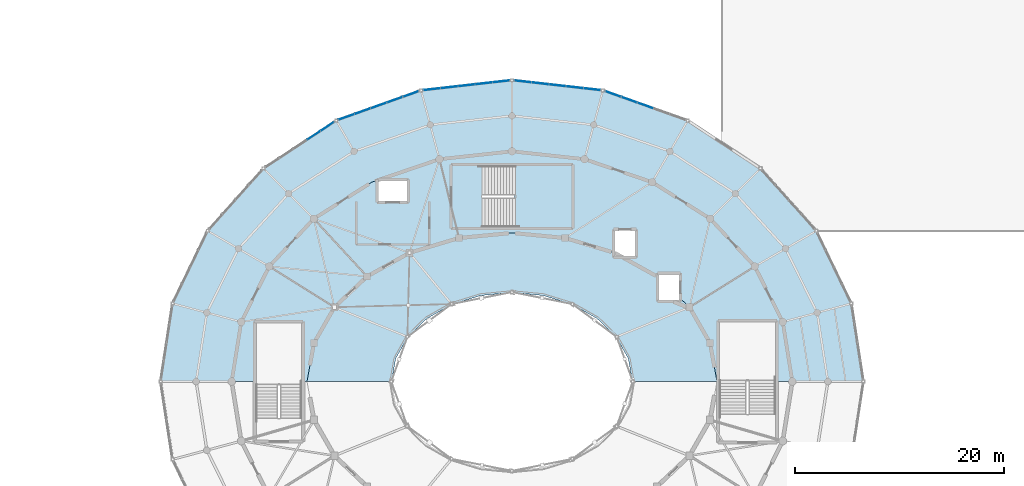
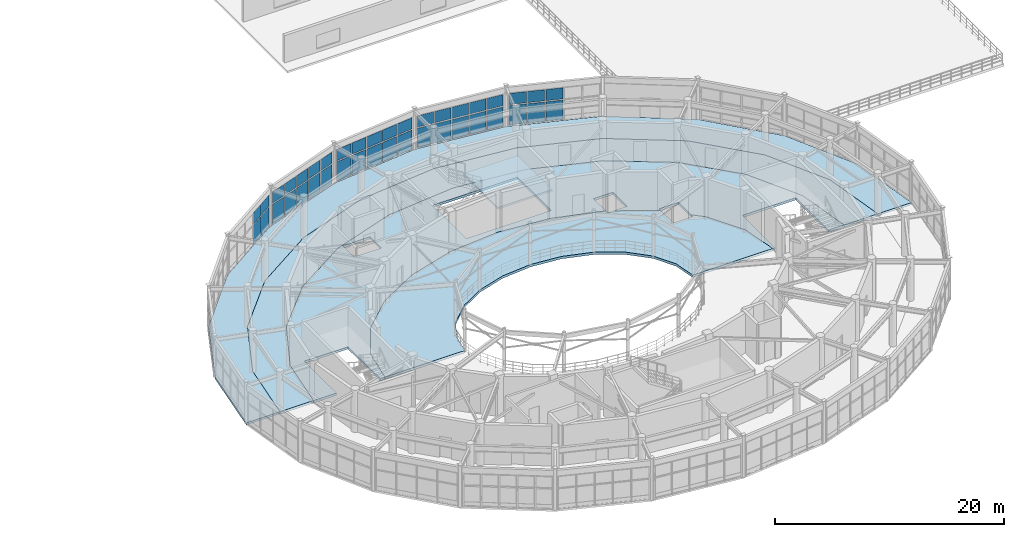
# One storey, part 33 of 60: 40 plates, 5 slabs, 6 elements without a shape of their own.
"""IFC4 building model written with IfcOpenShell, lengths in metres."""

from ifc_helpers import new_model, si_unit, direction, frame, origin, origin_2d, place, context, subcontext, project, spatial, polyline, rectangle, outline, extrude, material, layer, layer_set, type_object, element, aggregate, save


model = new_model("IFC4")

# Units and contexts
model_context = context("Model", 3, precision=1e-05, world=origin(), true_north=direction((0.0, 1.0)))
body_context = subcontext(model_context, "Body", "Model", "MODEL_VIEW")
ifc_project = project(units=[si_unit("LENGTHUNIT", "METRE"), si_unit("AREAUNIT", "SQUARE_METRE"), si_unit("VOLUMEUNIT", "CUBIC_METRE"), si_unit("PLANEANGLEUNIT", "RADIAN"), si_unit("MASSUNIT", "GRAM", prefix="KILO")], contexts=[model_context])

# Site, building, storey
site_placement = place(None, origin())
site = spatial("IfcSite", under=ifc_project, at=site_placement, CompositionType="ELEMENT")
building_placement = place(site_placement, origin())
building = spatial("IfcBuilding", under=site, at=building_placement, Name="Cinderbank Siding Concert Hall", CompositionType="ELEMENT")
storey_placement = place(building_placement, frame((0.0, 0.0, 14.699951171875)))
storey = spatial("IfcBuildingStorey", under=building, at=storey_placement, Name="L04", CompositionType="ELEMENT", Elevation=14.699951171875)

# Curtain wall, plates
ifc_material_1 = material(Name="Anodised aluminium alloy 6063-T6", Category="aluminium")
curtain_wall_type_1 = type_object("IfcCurtainWallType", Name="CW-09 Unitised Acoustic Curtain Wall 8000x3500", PredefinedType="NOTDEFINED", material=ifc_material_1)
curtain_wall_1_placement = place(storey_placement, origin())
curtain_wall_1 = element("IfcCurtainWall", 1, at=curtain_wall_1_placement, inside=storey, type_object=curtain_wall_type_1, Name="L04 Curtain Wall CW-09 #56", PredefinedType="NOTDEFINED")
ifc_material_2 = material(Name="Double-glazed laminated acoustic glass", Category="glass")
ifc_layer_1 = layer(ifc_material_2, 0.035888671875)
ifc_layer_set_1 = layer_set([ifc_layer_1], Name="Double-glazed laminated acoustic glass")
plate_type_1 = type_object("IfcPlateType", Name="CP-01 Glazed Curtain Panel 1800x2200", PredefinedType="CURTAIN_PANEL", material=ifc_layer_set_1)
plate_1_placement = place(storey_placement, frame((104.352294921875, 68.384033203125, 0.1201171875), z_axis=(0.0, 0.0, 1.0), x_axis=(-0.835491932304, -0.549502712509, 0.0)))
plate_1 = element("IfcPlate", 2, at=plate_1_placement, type_object=plate_type_1, Name="CW-L04-056 Glazed Panel 0-0", PredefinedType="CURTAIN_PANEL", context=body_context, shape_type="SweptSolid", body=[
    extrude(rectangle(XDim=1.47509765625, YDim=0.035888671875, at=origin_2d()), origin(), (0.0, 0.0, 1.0), 2.0625),
])
plate_2_placement = place(storey_placement, frame((104.352294921875, 68.384033203125, 2.302734375), z_axis=(0.0, 0.0, 1.0), x_axis=(-0.835491932304, -0.549502712509, 0.0)))
plate_2 = element("IfcPlate", 3, at=plate_2_placement, type_object=plate_type_1, Name="CW-L04-056 Glazed Panel 0-1", PredefinedType="CURTAIN_PANEL", context=body_context, shape_type="SweptSolid", body=[
    extrude(rectangle(XDim=1.47509765625, YDim=0.035888671875, at=origin_2d()), origin(), (0.0, 0.0, 1.0), 1.194580078125),
])
plate_3_placement = place(storey_placement, frame((103.03662109375, 67.5185546875, 0.1201171875), z_axis=(0.0, 0.0, 1.0), x_axis=(-0.835491932304, -0.549502712509, 0.0)))
plate_3 = element("IfcPlate", 4, at=plate_3_placement, type_object=plate_type_1, Name="CW-L04-056 Glazed Panel 1-0", PredefinedType="CURTAIN_PANEL", context=body_context, shape_type="SweptSolid", body=[
    extrude(rectangle(XDim=1.47509765625, YDim=0.035888671875, at=origin_2d()), origin(), (0.0, 0.0, 1.0), 2.0625),
])
plate_4_placement = place(storey_placement, frame((103.03662109375, 67.5185546875, 2.302734375), z_axis=(0.0, 0.0, 1.0), x_axis=(-0.835491932304, -0.549502712509, 0.0)))
plate_4 = element("IfcPlate", 5, at=plate_4_placement, type_object=plate_type_1, Name="CW-L04-056 Glazed Panel 1-1", PredefinedType="CURTAIN_PANEL", context=body_context, shape_type="SweptSolid", body=[
    extrude(rectangle(XDim=1.47509765625, YDim=0.035888671875, at=origin_2d()), origin(), (0.0, 0.0, 1.0), 1.194580078125),
])
aggregate(curtain_wall_1, [plate_1, plate_2, plate_3, plate_4])

curtain_wall_type_2 = type_object("IfcCurtainWallType", Name="CW-05 Unitised Acoustic Curtain Wall 8200x3800", PredefinedType="NOTDEFINED", material=ifc_material_1)
curtain_wall_2_placement = place(storey_placement, origin())
curtain_wall_2 = element("IfcCurtainWall", 6, at=curtain_wall_2_placement, inside=storey, type_object=curtain_wall_type_2, Name="L04 Curtain Wall CW-05 #52", PredefinedType="NOTDEFINED")
ifc_layer_2 = layer(ifc_material_2, 0.031982421875)
ifc_layer_set_2 = layer_set([ifc_layer_2], Name="Double-glazed laminated acoustic glass")
plate_type_2 = type_object("IfcPlateType", Name="CP-05 Glazed Curtain Panel 1200x1800", PredefinedType="CURTAIN_PANEL", material=ifc_layer_set_2)
plate_5_placement = place(storey_placement, frame((134.748291015625, 70.380126953125, 0.1201171875), z_axis=(0.0, 0.0, 1.0), x_axis=(-0.942365662238, 0.334584755532, 0.0)))
plate_5 = element("IfcPlate", 7, at=plate_5_placement, type_object=plate_type_2, Name="CW-L04-052 Glazed Panel 2-0", PredefinedType="CURTAIN_PANEL", context=body_context, shape_type="SweptSolid", body=[
    extrude(rectangle(XDim=1.529052734375, YDim=0.035888671875, at=origin_2d()), origin(), (0.0, 0.0, 1.0), 2.0625),
])
plate_6_placement = place(storey_placement, frame((134.748291015625, 70.380126953125, 2.302734375), z_axis=(0.0, 0.0, 1.0), x_axis=(-0.942365662238, 0.334584755532, 0.0)))
plate_6 = element("IfcPlate", 8, at=plate_6_placement, type_object=plate_type_2, Name="CW-L04-052 Glazed Panel 2-1", PredefinedType="CURTAIN_PANEL", context=body_context, shape_type="SweptSolid", body=[
    extrude(rectangle(XDim=1.529052734375, YDim=0.035888671875, at=origin_2d()), origin(), (0.0, 0.0, 1.0), 1.194580078125),
])
plate_7_placement = place(storey_placement, frame((133.212890625, 70.92529296875, 0.1201171875), z_axis=(0.0, 0.0, 1.0), x_axis=(-0.942365662238, 0.334584755532, 0.0)))
plate_7 = element("IfcPlate", 9, at=plate_7_placement, type_object=plate_type_2, Name="CW-L04-052 Glazed Panel 3-0", PredefinedType="CURTAIN_PANEL", context=body_context, shape_type="SweptSolid", body=[
    extrude(rectangle(XDim=1.529052734375, YDim=0.035888671875, at=origin_2d()), origin(), (0.0, 0.0, 1.0), 2.0625),
])
plate_8_placement = place(storey_placement, frame((133.212890625, 70.92529296875, 2.302734375), z_axis=(0.0, 0.0, 1.0), x_axis=(-0.942365662238, 0.334584755532, 0.0)))
plate_8 = element("IfcPlate", 10, at=plate_8_placement, type_object=plate_type_2, Name="CW-L04-052 Glazed Panel 3-1", PredefinedType="CURTAIN_PANEL", context=body_context, shape_type="SweptSolid", body=[
    extrude(rectangle(XDim=1.529052734375, YDim=0.035888671875, at=origin_2d()), origin(), (0.0, 0.0, 1.0), 1.194580078125),
])
plate_9_placement = place(storey_placement, frame((131.677734375, 71.47021484375, 0.1201171875), z_axis=(0.0, 0.0, 1.0), x_axis=(-0.942365662238, 0.334584755532, 0.0)))
plate_9 = element("IfcPlate", 11, at=plate_9_placement, type_object=plate_type_2, Name="CW-L04-052 Glazed Panel 4-0", PredefinedType="CURTAIN_PANEL", context=body_context, shape_type="SweptSolid", body=[
    extrude(rectangle(XDim=1.529052734375, YDim=0.035888671875, at=origin_2d()), origin(), (0.0, 0.0, 1.0), 2.0625),
])
plate_10_placement = place(storey_placement, frame((131.677734375, 71.47021484375, 2.302734375), z_axis=(0.0, 0.0, 1.0), x_axis=(-0.942365662238, 0.334584755532, 0.0)))
plate_10 = element("IfcPlate", 12, at=plate_10_placement, type_object=plate_type_2, Name="CW-L04-052 Glazed Panel 4-1", PredefinedType="CURTAIN_PANEL", context=body_context, shape_type="SweptSolid", body=[
    extrude(rectangle(XDim=1.529052734375, YDim=0.035888671875, at=origin_2d()), origin(), (0.0, 0.0, 1.0), 1.194580078125),
])
aggregate(curtain_wall_2, [plate_5, plate_6, plate_7, plate_8, plate_9, plate_10])

curtain_wall_type_3 = type_object("IfcCurtainWallType", Name="CW-06 Unitised Acoustic Curtain Wall 7600x3800", PredefinedType="NOTDEFINED", material=ifc_material_1)
curtain_wall_3_placement = place(storey_placement, origin())
curtain_wall_3 = element("IfcCurtainWall", 13, at=curtain_wall_3_placement, inside=storey, type_object=curtain_wall_type_3, Name="L04 Curtain Wall CW-06 #53", PredefinedType="NOTDEFINED")
ifc_layer_3 = layer(ifc_material_2, 0.0380859375)
ifc_layer_set_3 = layer_set([ifc_layer_3], Name="Double-glazed laminated acoustic glass")
plate_type_3 = type_object("IfcPlateType", Name="CP-06 Glazed Curtain Panel 2100x1600", PredefinedType="CURTAIN_PANEL", material=ifc_layer_set_3)
plate_11_placement = place(storey_placement, frame((129.646240234375, 71.937255859375, 0.1201171875), z_axis=(0.0, 0.0, 1.0), x_axis=(-0.993693605349, 0.112129472879, 0.0)))
plate_11 = element("IfcPlate", 14, at=plate_11_placement, type_object=plate_type_3, Name="CW-L04-053 Glazed Panel 0-0", PredefinedType="CURTAIN_PANEL", context=body_context, shape_type="SweptSolid", body=[
    extrude(rectangle(XDim=1.5595703125, YDim=0.035888671875, at=origin_2d()), origin(), (0.0, 0.0, 1.0), 2.0625),
])
plate_12_placement = place(storey_placement, frame((129.646240234375, 71.937255859375, 2.302734375), z_axis=(0.0, 0.0, 1.0), x_axis=(-0.993693605349, 0.112129472879, 0.0)))
plate_12 = element("IfcPlate", 15, at=plate_12_placement, type_object=plate_type_3, Name="CW-L04-053 Glazed Panel 0-1", PredefinedType="CURTAIN_PANEL", context=body_context, shape_type="SweptSolid", body=[
    extrude(rectangle(XDim=1.5595703125, YDim=0.035888671875, at=origin_2d()), origin(), (0.0, 0.0, 1.0), 1.194580078125),
])
plate_13_placement = place(storey_placement, frame((127.997314453125, 72.123291015625, 0.1201171875), z_axis=(0.0, 0.0, 1.0), x_axis=(-0.993693605349, 0.112129472879, 0.0)))
plate_13 = element("IfcPlate", 16, at=plate_13_placement, type_object=plate_type_3, Name="CW-L04-053 Glazed Panel 1-0", PredefinedType="CURTAIN_PANEL", context=body_context, shape_type="SweptSolid", body=[
    extrude(rectangle(XDim=1.5595703125, YDim=0.035888671875, at=origin_2d()), origin(), (0.0, 0.0, 1.0), 2.0625),
])
plate_14_placement = place(storey_placement, frame((127.997314453125, 72.123291015625, 2.302734375), z_axis=(0.0, 0.0, 1.0), x_axis=(-0.993693605349, 0.112129472879, 0.0)))
plate_14 = element("IfcPlate", 17, at=plate_14_placement, type_object=plate_type_3, Name="CW-L04-053 Glazed Panel 1-1", PredefinedType="CURTAIN_PANEL", context=body_context, shape_type="SweptSolid", body=[
    extrude(rectangle(XDim=1.5595703125, YDim=0.035888671875, at=origin_2d()), origin(), (0.0, 0.0, 1.0), 1.194580078125),
])
plate_15_placement = place(storey_placement, frame((126.34814453125, 72.309326171875, 0.1201171875), z_axis=(0.0, 0.0, 1.0), x_axis=(-0.993693605349, 0.112129472879, 0.0)))
plate_15 = element("IfcPlate", 18, at=plate_15_placement, type_object=plate_type_3, Name="CW-L04-053 Glazed Panel 2-0", PredefinedType="CURTAIN_PANEL", context=body_context, shape_type="SweptSolid", body=[
    extrude(rectangle(XDim=1.5595703125, YDim=0.035888671875, at=origin_2d()), origin(), (0.0, 0.0, 1.0), 2.0625),
])
plate_16_placement = place(storey_placement, frame((126.34814453125, 72.309326171875, 2.302734375), z_axis=(0.0, 0.0, 1.0), x_axis=(-0.993693605349, 0.112129472879, 0.0)))
plate_16 = element("IfcPlate", 19, at=plate_16_placement, type_object=plate_type_3, Name="CW-L04-053 Glazed Panel 2-1", PredefinedType="CURTAIN_PANEL", context=body_context, shape_type="SweptSolid", body=[
    extrude(rectangle(XDim=1.5595703125, YDim=0.035888671875, at=origin_2d()), origin(), (0.0, 0.0, 1.0), 1.194580078125),
])
plate_17_placement = place(storey_placement, frame((124.69921875, 72.495361328125, 0.1201171875), z_axis=(0.0, 0.0, 1.0), x_axis=(-0.993693605349, 0.112129472879, 0.0)))
plate_17 = element("IfcPlate", 20, at=plate_17_placement, type_object=plate_type_3, Name="CW-L04-053 Glazed Panel 3-0", PredefinedType="CURTAIN_PANEL", context=body_context, shape_type="SweptSolid", body=[
    extrude(rectangle(XDim=1.5595703125, YDim=0.035888671875, at=origin_2d()), origin(), (0.0, 0.0, 1.0), 2.0625),
])
plate_18_placement = place(storey_placement, frame((124.69921875, 72.495361328125, 2.302734375), z_axis=(0.0, 0.0, 1.0), x_axis=(-0.993693605349, 0.112129472879, 0.0)))
plate_18 = element("IfcPlate", 21, at=plate_18_placement, type_object=plate_type_3, Name="CW-L04-053 Glazed Panel 3-1", PredefinedType="CURTAIN_PANEL", context=body_context, shape_type="SweptSolid", body=[
    extrude(rectangle(XDim=1.5595703125, YDim=0.035888671875, at=origin_2d()), origin(), (0.0, 0.0, 1.0), 1.194580078125),
])
plate_19_placement = place(storey_placement, frame((123.050048828125, 72.681396484375, 0.1201171875), z_axis=(0.0, 0.0, 1.0), x_axis=(-0.993693605349, 0.112129472879, 0.0)))
plate_19 = element("IfcPlate", 22, at=plate_19_placement, type_object=plate_type_3, Name="CW-L04-053 Glazed Panel 4-0", PredefinedType="CURTAIN_PANEL", context=body_context, shape_type="SweptSolid", body=[
    extrude(rectangle(XDim=1.5595703125, YDim=0.035888671875, at=origin_2d()), origin(), (0.0, 0.0, 1.0), 2.0625),
])
plate_20_placement = place(storey_placement, frame((123.050048828125, 72.681396484375, 2.302734375), z_axis=(0.0, 0.0, 1.0), x_axis=(-0.993693605349, 0.112129472879, 0.0)))
plate_20 = element("IfcPlate", 23, at=plate_20_placement, type_object=plate_type_3, Name="CW-L04-053 Glazed Panel 4-1", PredefinedType="CURTAIN_PANEL", context=body_context, shape_type="SweptSolid", body=[
    extrude(rectangle(XDim=1.5595703125, YDim=0.035888671875, at=origin_2d()), origin(), (0.0, 0.0, 1.0), 1.194580078125),
])
aggregate(curtain_wall_3, [plate_11, plate_12, plate_13, plate_14, plate_15, plate_16, plate_17, plate_18, plate_19, plate_20])

curtain_wall_type_4 = type_object("IfcCurtainWallType", Name="CW-07 Unitised Acoustic Curtain Wall 7000x3800", PredefinedType="NOTDEFINED", material=ifc_material_1)
curtain_wall_4_placement = place(storey_placement, origin())
curtain_wall_4 = element("IfcCurtainWall", 24, at=curtain_wall_4_placement, inside=storey, type_object=curtain_wall_type_4, Name="L04 Curtain Wall CW-07 #54", PredefinedType="NOTDEFINED")
ifc_layer_4 = layer(ifc_material_2, 0.033935546875)
ifc_layer_set_4 = layer_set([ifc_layer_4], Name="Double-glazed laminated acoustic glass")
plate_type_4 = type_object("IfcPlateType", Name="CP-07 Glazed Curtain Panel 1500x1750", PredefinedType="CURTAIN_PANEL", material=ifc_layer_set_4)
plate_21_placement = place(storey_placement, frame((120.949951171875, 72.681396484375, 0.1201171875), z_axis=(0.0, 0.0, 1.0), x_axis=(-0.993693605349, -0.112129472879, 0.0)))
plate_21 = element("IfcPlate", 25, at=plate_21_placement, type_object=plate_type_4, Name="CW-L04-054 Glazed Panel 0-0", PredefinedType="CURTAIN_PANEL", context=body_context, shape_type="SweptSolid", body=[
    extrude(rectangle(XDim=1.5595703125, YDim=0.035888671875, at=origin_2d()), origin(), (0.0, 0.0, 1.0), 2.0625),
])
plate_22_placement = place(storey_placement, frame((120.949951171875, 72.681396484375, 2.302734375), z_axis=(0.0, 0.0, 1.0), x_axis=(-0.993693605349, -0.112129472879, 0.0)))
plate_22 = element("IfcPlate", 26, at=plate_22_placement, type_object=plate_type_4, Name="CW-L04-054 Glazed Panel 0-1", PredefinedType="CURTAIN_PANEL", context=body_context, shape_type="SweptSolid", body=[
    extrude(rectangle(XDim=1.5595703125, YDim=0.035888671875, at=origin_2d()), origin(), (0.0, 0.0, 1.0), 1.194580078125),
])
plate_23_placement = place(storey_placement, frame((119.30078125, 72.495361328125, 0.1201171875), z_axis=(0.0, 0.0, 1.0), x_axis=(-0.993693605349, -0.112129472879, 0.0)))
plate_23 = element("IfcPlate", 27, at=plate_23_placement, type_object=plate_type_4, Name="CW-L04-054 Glazed Panel 1-0", PredefinedType="CURTAIN_PANEL", context=body_context, shape_type="SweptSolid", body=[
    extrude(rectangle(XDim=1.5595703125, YDim=0.035888671875, at=origin_2d()), origin(), (0.0, 0.0, 1.0), 2.0625),
])
plate_24_placement = place(storey_placement, frame((119.30078125, 72.495361328125, 2.302734375), z_axis=(0.0, 0.0, 1.0), x_axis=(-0.993693605349, -0.112129472879, 0.0)))
plate_24 = element("IfcPlate", 28, at=plate_24_placement, type_object=plate_type_4, Name="CW-L04-054 Glazed Panel 1-1", PredefinedType="CURTAIN_PANEL", context=body_context, shape_type="SweptSolid", body=[
    extrude(rectangle(XDim=1.5595703125, YDim=0.035888671875, at=origin_2d()), origin(), (0.0, 0.0, 1.0), 1.194580078125),
])
plate_25_placement = place(storey_placement, frame((117.65185546875, 72.309326171875, 0.1201171875), z_axis=(0.0, 0.0, 1.0), x_axis=(-0.993693605349, -0.112129472879, 0.0)))
plate_25 = element("IfcPlate", 29, at=plate_25_placement, type_object=plate_type_4, Name="CW-L04-054 Glazed Panel 2-0", PredefinedType="CURTAIN_PANEL", context=body_context, shape_type="SweptSolid", body=[
    extrude(rectangle(XDim=1.5595703125, YDim=0.035888671875, at=origin_2d()), origin(), (0.0, 0.0, 1.0), 2.0625),
])
plate_26_placement = place(storey_placement, frame((117.65185546875, 72.309326171875, 2.302734375), z_axis=(0.0, 0.0, 1.0), x_axis=(-0.993693605349, -0.112129472879, 0.0)))
plate_26 = element("IfcPlate", 30, at=plate_26_placement, type_object=plate_type_4, Name="CW-L04-054 Glazed Panel 2-1", PredefinedType="CURTAIN_PANEL", context=body_context, shape_type="SweptSolid", body=[
    extrude(rectangle(XDim=1.5595703125, YDim=0.035888671875, at=origin_2d()), origin(), (0.0, 0.0, 1.0), 1.194580078125),
])
plate_27_placement = place(storey_placement, frame((116.002685546875, 72.123291015625, 0.1201171875), z_axis=(0.0, 0.0, 1.0), x_axis=(-0.993693605349, -0.112129472879, 0.0)))
plate_27 = element("IfcPlate", 31, at=plate_27_placement, type_object=plate_type_4, Name="CW-L04-054 Glazed Panel 3-0", PredefinedType="CURTAIN_PANEL", context=body_context, shape_type="SweptSolid", body=[
    extrude(rectangle(XDim=1.5595703125, YDim=0.035888671875, at=origin_2d()), origin(), (0.0, 0.0, 1.0), 2.0625),
])
plate_28_placement = place(storey_placement, frame((116.002685546875, 72.123291015625, 2.302734375), z_axis=(0.0, 0.0, 1.0), x_axis=(-0.993693605349, -0.112129472879, 0.0)))
plate_28 = element("IfcPlate", 32, at=plate_28_placement, type_object=plate_type_4, Name="CW-L04-054 Glazed Panel 3-1", PredefinedType="CURTAIN_PANEL", context=body_context, shape_type="SweptSolid", body=[
    extrude(rectangle(XDim=1.5595703125, YDim=0.035888671875, at=origin_2d()), origin(), (0.0, 0.0, 1.0), 1.194580078125),
])
plate_29_placement = place(storey_placement, frame((114.353759765625, 71.937255859375, 0.1201171875), z_axis=(0.0, 0.0, 1.0), x_axis=(-0.993693605349, -0.112129472879, 0.0)))
plate_29 = element("IfcPlate", 33, at=plate_29_placement, type_object=plate_type_4, Name="CW-L04-054 Glazed Panel 4-0", PredefinedType="CURTAIN_PANEL", context=body_context, shape_type="SweptSolid", body=[
    extrude(rectangle(XDim=1.5595703125, YDim=0.035888671875, at=origin_2d()), origin(), (0.0, 0.0, 1.0), 2.0625),
])
plate_30_placement = place(storey_placement, frame((114.353759765625, 71.937255859375, 2.302734375), z_axis=(0.0, 0.0, 1.0), x_axis=(-0.993693605349, -0.112129472879, 0.0)))
plate_30 = element("IfcPlate", 34, at=plate_30_placement, type_object=plate_type_4, Name="CW-L04-054 Glazed Panel 4-1", PredefinedType="CURTAIN_PANEL", context=body_context, shape_type="SweptSolid", body=[
    extrude(rectangle(XDim=1.5595703125, YDim=0.035888671875, at=origin_2d()), origin(), (0.0, 0.0, 1.0), 1.194580078125),
])
aggregate(curtain_wall_4, [plate_21, plate_22, plate_23, plate_24, plate_25, plate_26, plate_27, plate_28, plate_29, plate_30])

curtain_wall_type_5 = type_object("IfcCurtainWallType", Name="CW-08 Unitised Acoustic Curtain Wall 6400x3800", PredefinedType="NOTDEFINED", material=ifc_material_1)
curtain_wall_5_placement = place(storey_placement, origin())
curtain_wall_5 = element("IfcCurtainWall", 35, at=curtain_wall_5_placement, inside=storey, type_object=curtain_wall_type_5, Name="L04 Curtain Wall CW-08 #55", PredefinedType="NOTDEFINED")
ifc_layer_5 = layer(ifc_material_2, 0.033935546875)
ifc_layer_set_5 = layer_set([ifc_layer_5], Name="Double-glazed laminated acoustic glass")
plate_type_5 = type_object("IfcPlateType", Name="CP-08 Glazed Curtain Panel 1700x1550", PredefinedType="CURTAIN_PANEL", material=ifc_layer_set_5)
plate_31_placement = place(storey_placement, frame((112.322265625, 71.47021484375, 0.1201171875), z_axis=(0.0, 0.0, 1.0), x_axis=(-0.942365662238, -0.334584755532, 0.0)))
plate_31 = element("IfcPlate", 36, at=plate_31_placement, type_object=plate_type_5, Name="CW-L04-055 Glazed Panel 0-0", PredefinedType="CURTAIN_PANEL", context=body_context, shape_type="SweptSolid", body=[
    extrude(rectangle(XDim=1.529052734375, YDim=0.035888671875, at=origin_2d()), origin(), (0.0, 0.0, 1.0), 2.0625),
])
plate_32_placement = place(storey_placement, frame((112.322265625, 71.47021484375, 2.302734375), z_axis=(0.0, 0.0, 1.0), x_axis=(-0.942365662238, -0.334584755532, 0.0)))
plate_32 = element("IfcPlate", 37, at=plate_32_placement, type_object=plate_type_5, Name="CW-L04-055 Glazed Panel 0-1", PredefinedType="CURTAIN_PANEL", context=body_context, shape_type="SweptSolid", body=[
    extrude(rectangle(XDim=1.529052734375, YDim=0.035888671875, at=origin_2d()), origin(), (0.0, 0.0, 1.0), 1.194580078125),
])
plate_33_placement = place(storey_placement, frame((110.787109375, 70.92529296875, 0.1201171875), z_axis=(0.0, 0.0, 1.0), x_axis=(-0.942365662238, -0.334584755532, 0.0)))
plate_33 = element("IfcPlate", 38, at=plate_33_placement, type_object=plate_type_5, Name="CW-L04-055 Glazed Panel 1-0", PredefinedType="CURTAIN_PANEL", context=body_context, shape_type="SweptSolid", body=[
    extrude(rectangle(XDim=1.529052734375, YDim=0.035888671875, at=origin_2d()), origin(), (0.0, 0.0, 1.0), 2.0625),
])
plate_34_placement = place(storey_placement, frame((110.787109375, 70.92529296875, 2.302734375), z_axis=(0.0, 0.0, 1.0), x_axis=(-0.942365662238, -0.334584755532, 0.0)))
plate_34 = element("IfcPlate", 39, at=plate_34_placement, type_object=plate_type_5, Name="CW-L04-055 Glazed Panel 1-1", PredefinedType="CURTAIN_PANEL", context=body_context, shape_type="SweptSolid", body=[
    extrude(rectangle(XDim=1.529052734375, YDim=0.035888671875, at=origin_2d()), origin(), (0.0, 0.0, 1.0), 1.194580078125),
])
plate_35_placement = place(storey_placement, frame((109.251953125, 70.380126953125, 0.1201171875), z_axis=(0.0, 0.0, 1.0), x_axis=(-0.942365662238, -0.334584755532, 0.0)))
plate_35 = element("IfcPlate", 40, at=plate_35_placement, type_object=plate_type_5, Name="CW-L04-055 Glazed Panel 2-0", PredefinedType="CURTAIN_PANEL", context=body_context, shape_type="SweptSolid", body=[
    extrude(rectangle(XDim=1.529052734375, YDim=0.035888671875, at=origin_2d()), origin(), (0.0, 0.0, 1.0), 2.0625),
])
plate_36_placement = place(storey_placement, frame((109.251953125, 70.380126953125, 2.302734375), z_axis=(0.0, 0.0, 1.0), x_axis=(-0.942365662238, -0.334584755532, 0.0)))
plate_36 = element("IfcPlate", 41, at=plate_36_placement, type_object=plate_type_5, Name="CW-L04-055 Glazed Panel 2-1", PredefinedType="CURTAIN_PANEL", context=body_context, shape_type="SweptSolid", body=[
    extrude(rectangle(XDim=1.529052734375, YDim=0.035888671875, at=origin_2d()), origin(), (0.0, 0.0, 1.0), 1.194580078125),
])
plate_37_placement = place(storey_placement, frame((107.716796875, 69.8349609375, 0.1201171875), z_axis=(0.0, 0.0, 1.0), x_axis=(-0.942365662238, -0.334584755532, 0.0)))
plate_37 = element("IfcPlate", 42, at=plate_37_placement, type_object=plate_type_5, Name="CW-L04-055 Glazed Panel 3-0", PredefinedType="CURTAIN_PANEL", context=body_context, shape_type="SweptSolid", body=[
    extrude(rectangle(XDim=1.529052734375, YDim=0.035888671875, at=origin_2d()), origin(), (0.0, 0.0, 1.0), 2.0625),
])
plate_38_placement = place(storey_placement, frame((107.716796875, 69.8349609375, 2.302734375), z_axis=(0.0, 0.0, 1.0), x_axis=(-0.942365662238, -0.334584755532, 0.0)))
plate_38 = element("IfcPlate", 43, at=plate_38_placement, type_object=plate_type_5, Name="CW-L04-055 Glazed Panel 3-1", PredefinedType="CURTAIN_PANEL", context=body_context, shape_type="SweptSolid", body=[
    extrude(rectangle(XDim=1.529052734375, YDim=0.035888671875, at=origin_2d()), origin(), (0.0, 0.0, 1.0), 1.194580078125),
])
plate_39_placement = place(storey_placement, frame((106.181396484375, 69.2900390625, 0.1201171875), z_axis=(0.0, 0.0, 1.0), x_axis=(-0.942365662238, -0.334584755532, 0.0)))
plate_39 = element("IfcPlate", 44, at=plate_39_placement, type_object=plate_type_5, Name="CW-L04-055 Glazed Panel 4-0", PredefinedType="CURTAIN_PANEL", context=body_context, shape_type="SweptSolid", body=[
    extrude(rectangle(XDim=1.529052734375, YDim=0.035888671875, at=origin_2d()), origin(), (0.0, 0.0, 1.0), 2.0625),
])
plate_40_placement = place(storey_placement, frame((106.181396484375, 69.2900390625, 2.302734375), z_axis=(0.0, 0.0, 1.0), x_axis=(-0.942365662238, -0.334584755532, 0.0)))
plate_40 = element("IfcPlate", 45, at=plate_40_placement, type_object=plate_type_5, Name="CW-L04-055 Glazed Panel 4-1", PredefinedType="CURTAIN_PANEL", context=body_context, shape_type="SweptSolid", body=[
    extrude(rectangle(XDim=1.529052734375, YDim=0.035888671875, at=origin_2d()), origin(), (0.0, 0.0, 1.0), 1.194580078125),
])
aggregate(curtain_wall_5, [plate_31, plate_32, plate_33, plate_34, plate_35, plate_36, plate_37, plate_38, plate_39, plate_40])

# Stair, slab
ifc_material_3 = material(Name="Reinforced concrete AS 3600 N50 (50 MPa)", Category="concrete")
stair_type = type_object("IfcStairType", Name="STR-J Dogleg Exit Stair 2850mm", PredefinedType="HALF_TURN_STAIR", material=ifc_material_3)
stair_placement = place(storey_placement, origin())
stair = element("IfcStair", 46, at=stair_placement, inside=storey, type_object=stair_type, Name="L04 Fire-isolated Exit Stair ST-01", PredefinedType="HALF_TURN_STAIR")
ifc_layer_6 = layer(ifc_material_3, 0.199951171875)
ifc_layer_set_6 = layer_set([ifc_layer_6], Name="Reinforced concrete AS 3600 N50 (50 MPa)")
slab_type_1 = type_object("IfcSlabType", Name="LD-02 Slab 200mm", PredefinedType="LANDING", material=ifc_layer_set_6)
slab_1_placement = place(storey_placement, frame((0.0, 0.0, 2.050048828125)))
slab_1 = element("IfcSlab", 47, at=slab_1_placement, type_object=slab_type_1, Name="ST-01 landing 1", PredefinedType="LANDING", context=body_context, shape_type="SweptSolid", body=[
    extrude(outline(polyline([(122.260009765625, 58.669921875), (122.260009765625, 64.68994140625), (127.780029296875, 64.68994140625), (127.780029296875, 58.669921875), (122.260009765625, 58.669921875)])), origin(), (0.0, 0.0, 1.0), 0.199951171875),
])
aggregate(stair, [slab_1])

# Slabs
ifc_layer_7 = layer(ifc_material_3, 0.260009765625)
ifc_layer_set_7 = layer_set([ifc_layer_7], Name="Reinforced concrete AS 3600 N50 (50 MPa)")
slab_type_2 = type_object("IfcSlabType", Name="SL-03 Slab 260mm", PredefinedType="FLOOR", material=ifc_layer_set_7)
slab_2_placement = place(storey_placement, frame((0.0, 0.0, -0.260009765625)))
element("IfcSlab", 48, at=slab_2_placement, inside=storey, type_object=slab_type_2, Name="L04 Choir & Technical Ring North", PredefinedType="FLOOR", context=body_context, shape_type="SweptSolid", body=[
    extrude(outline(polyline([(108.140625, 54.041015625), (112.199951171875, 56.297607421875), (116.927001953125, 57.716064453125), (122.0, 58.199951171875), (127.072998046875, 57.716064453125), (131.800048828125, 56.297607421875), (131.820068359375, 55.969970703125), (132.389404296875, 55.969970703125), (135.859375, 54.041015625), (136.02001953125, 53.88916015625), (136.02001953125, 51.77001953125), (137.97998046875, 51.77001953125), (137.97998046875, 52.03857421875), (138.97412109375, 51.10009765625), (140.93212890625, 47.67529296875), (141.598876953125, 44.006103515625), (133.498779296875, 44.006103515625), (133.108154296875, 46.199951171875), (131.959228515625, 48.25), (130.131591796875, 50.010498046875), (127.75, 51.361083984375), (124.976318359375, 52.21044921875), (122.0, 52.5), (119.023681640625, 52.21044921875), (116.25, 51.361083984375), (113.868408203125, 50.010498046875), (112.040771484375, 48.25), (110.891845703125, 46.199951171875), (110.501220703125, 44.006103515625), (102.401123046875, 44.006103515625), (103.06787109375, 47.67529296875), (105.02587890625, 51.10009765625), (108.140625, 54.041015625)])), origin(), (0.0, 0.0, 1.0), 0.260009765625),
])
slab_3_placement = place(storey_placement, frame((0.0, 0.0, -0.260009765625)))
element("IfcSlab", 49, at=slab_3_placement, inside=storey, type_object=slab_type_2, Name="L04 Exhibition Inner Foyer North", PredefinedType="FLOOR", context=body_context, shape_type="SweptSolid", body=[
    extrude(outline(polyline([(92.8291015625, 50.573974609375), (95.845947265625, 56.699951171875), (100.6455078125, 61.96044921875), (106.89990234375, 65.9970703125), (114.18359375, 68.534423828125), (122.0, 69.39990234375), (129.81640625, 68.534423828125), (137.10009765625, 65.9970703125), (143.3544921875, 61.96044921875), (148.154052734375, 56.699951171875), (151.1708984375, 50.573974609375), (152.19921875, 44.006103515625), (148.799072265625, 44.006103515625), (147.88671875, 49.694091796875), (145.20947265625, 55.0), (140.950439453125, 59.556396484375), (135.39990234375, 63.052490234375), (128.936279296875, 65.25048828125), (122.0, 66.0), (115.063720703125, 65.25048828125), (108.60009765625, 63.052490234375), (103.049560546875, 59.556396484375), (98.79052734375, 55.0), (96.11328125, 49.694091796875), (95.200927734375, 44.006103515625), (91.80078125, 44.006103515625), (92.8291015625, 50.573974609375)])), origin(), (0.0, 0.0, 1.0), 0.260009765625),
])
ifc_layer_8 = layer(ifc_material_3, 0.25)
ifc_layer_set_8 = layer_set([ifc_layer_8], Name="Reinforced concrete AS 3600 N50 (50 MPa)")
slab_type_3 = type_object("IfcSlabType", Name="SL-04 Slab 250mm", PredefinedType="FLOOR", material=ifc_layer_set_8)
slab_4_placement = place(storey_placement, frame((0.0, 0.0, -0.25)))
element("IfcSlab", 50, at=slab_4_placement, inside=storey, type_object=slab_type_3, Name="L04 Exhibition Drum Ring North", PredefinedType="FLOOR", context=body_context, shape_type="SweptSolid", body=[
    extrude(outline(polyline([(122.0, 66.0), (128.936279296875, 65.25048828125), (135.39990234375, 63.052490234375), (140.950439453125, 59.556396484375), (145.20947265625, 55.0), (147.88671875, 49.694091796875), (148.799072265625, 44.006103515625), (147.219970703125, 44.006103515625), (147.219970703125, 49.719970703125), (141.820068359375, 49.719970703125), (141.820068359375, 44.006103515625), (141.598876953125, 44.006103515625), (140.93212890625, 47.67529296875), (138.97412109375, 51.10009765625), (137.97998046875, 52.03857421875), (137.97998046875, 54.22998046875), (136.02001953125, 54.22998046875), (136.02001953125, 53.88916015625), (135.859375, 54.041015625), (132.389404296875, 55.969970703125), (133.780029296875, 55.969970703125), (133.780029296875, 58.429931640625), (131.820068359375, 58.429931640625), (131.820068359375, 56.28662109375), (127.072998046875, 57.716064453125), (122.0, 58.199951171875), (116.927001953125, 57.716064453125), (112.199951171875, 56.297607421875), (108.140625, 54.041015625), (105.02587890625, 51.10009765625), (103.06787109375, 47.67529296875), (102.401123046875, 44.006103515625), (101.919921875, 44.006103515625), (101.919921875, 49.6201171875), (97.52001953125, 49.6201171875), (97.52001953125, 44.006103515625), (95.200927734375, 44.006103515625), (96.11328125, 49.694091796875), (98.79052734375, 55.0), (103.049560546875, 59.556396484375), (108.60009765625, 63.052490234375), (115.063720703125, 65.25048828125), (122.0, 66.0)]), holes=[polyline([(119.14990234375, 58.75), (127.699951171875, 58.75), (127.699951171875, 64.610107421875), (119.14990234375, 64.610107421875), (119.14990234375, 58.75)]), polyline([(111.97998046875, 61.219970703125), (111.97998046875, 63.179931640625), (109.219970703125, 63.179931640625), (109.219970703125, 61.219970703125), (111.97998046875, 61.219970703125)])]), origin(), (0.0, 0.0, 1.0), 0.25),
])
ifc_layer_9 = layer(ifc_material_3, 0.219970703125)
ifc_layer_set_9 = layer_set([ifc_layer_9], Name="Reinforced concrete AS 3600 N50 (50 MPa)")
slab_type_4 = type_object("IfcSlabType", Name="SL-07 Slab 220mm", PredefinedType="FLOOR", material=ifc_layer_set_9)
slab_5_placement = place(storey_placement, frame((0.0, 0.0, -0.219970703125)))
element("IfcSlab", 51, at=slab_5_placement, inside=storey, type_object=slab_type_4, Name="L04 Exhibition Outer Promenade North", PredefinedType="FLOOR", context=body_context, shape_type="SweptSolid", body=[
    extrude(outline(polyline([(89.544921875, 51.4541015625), (92.901611328125, 58.39990234375), (98.2412109375, 64.36474609375), (105.199951171875, 68.94140625), (113.3037109375, 71.818603515625), (122.0, 72.800048828125), (130.6962890625, 71.818603515625), (138.800048828125, 68.94140625), (145.7587890625, 64.36474609375), (151.098388671875, 58.39990234375), (154.455078125, 51.4541015625), (155.59912109375, 44.006103515625), (152.19921875, 44.006103515625), (151.1708984375, 50.573974609375), (148.154052734375, 56.699951171875), (143.3544921875, 61.96044921875), (137.10009765625, 65.9970703125), (129.81640625, 68.534423828125), (122.0, 69.39990234375), (114.18359375, 68.534423828125), (106.89990234375, 65.9970703125), (100.6455078125, 61.96044921875), (95.845947265625, 56.699951171875), (92.8291015625, 50.573974609375), (91.80078125, 44.006103515625), (88.40087890625, 44.006103515625), (89.544921875, 51.4541015625)])), origin(), (0.0, 0.0, 1.0), 0.219970703125),
])

save(model, "model.ifc")
